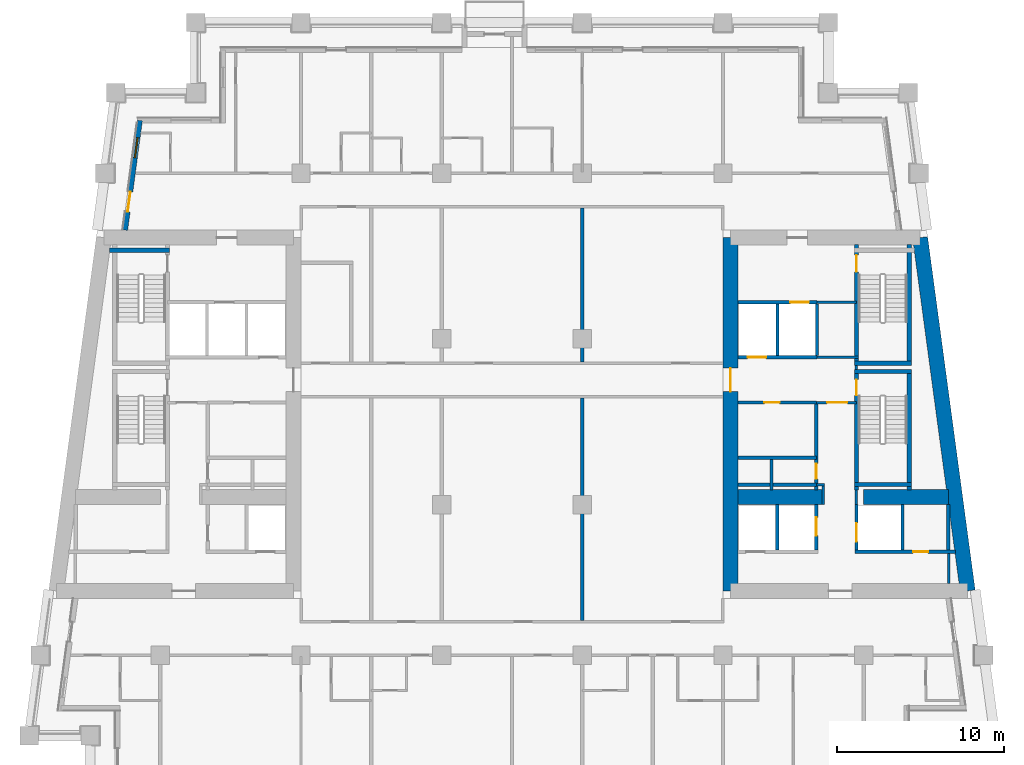
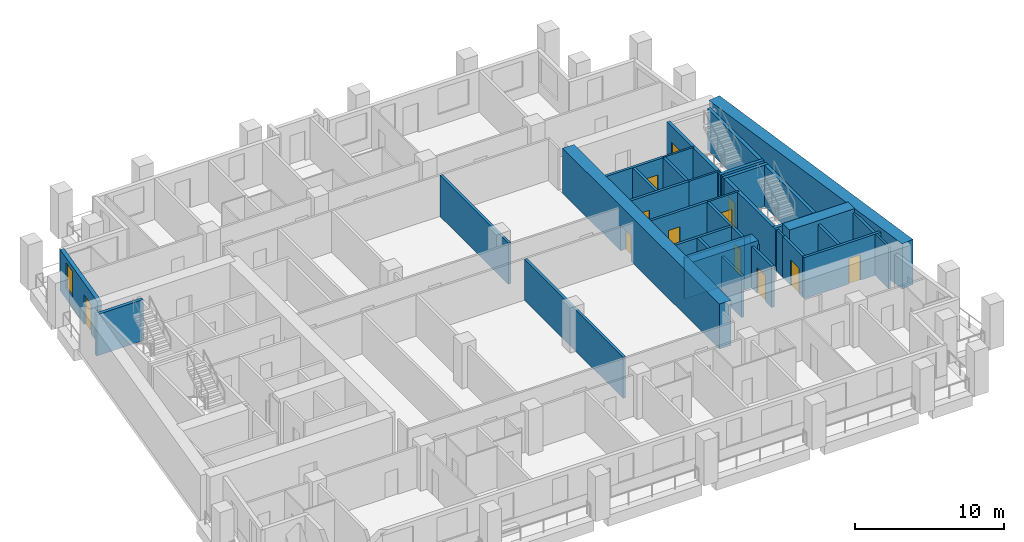
# One storey, part 5 of 12: 38 walls, 12 doors, 1 window, 13 openings.
"""IFC4 building model written with IfcOpenShell, lengths in metres."""

from ifc_helpers import new_model, si_unit, direction, frame, frame_2d, origin, place, context, subcontext, project, spatial, rectangle, extrude, material, layer, layer_set, type_object, element, fill, save


model = new_model("IFC4")

# Units and contexts
model_context = context("Model", 3, precision=1e-05, world=origin(), true_north=direction((0.0, 1.0)))
body_context = subcontext(model_context, "Body", "Model", "MODEL_VIEW")
ifc_project = project(units=[si_unit("LENGTHUNIT", "METRE"), si_unit("AREAUNIT", "SQUARE_METRE"), si_unit("VOLUMEUNIT", "CUBIC_METRE"), si_unit("PLANEANGLEUNIT", "RADIAN"), si_unit("MASSUNIT", "GRAM", prefix="KILO")], contexts=[model_context])

# Site, building, storey
site_placement = place(None, origin())
site = spatial("IfcSite", under=ifc_project, at=site_placement, CompositionType="ELEMENT")
building_placement = place(site_placement, origin())
building = spatial("IfcBuilding", under=site, at=building_placement, Name="Candeia Pilgrim Tower and Theatre", CompositionType="ELEMENT")
storey_placement = place(building_placement, frame((0.0, 0.0, 184.800048828125)))
storey = spatial("IfcBuildingStorey", under=building, at=storey_placement, Name="L44", CompositionType="ELEMENT", Elevation=184.800048828125)

# Wall
ifc_material_1 = material(Name="Concrete C60/75", Category="concrete")
ifc_layer_1 = layer(ifc_material_1, 0.89990234375)
ifc_layer_set_1 = layer_set([ifc_layer_1], Name="Core wall 900 C60/75")
wall_type_1 = type_object("IfcWallType", Name="Core wall 900 C60/75", PredefinedType="SHEAR", material=ifc_layer_set_1)
wall_1_placement = place(storey_placement, frame((137.775634765625, 131.949951171875, 0.0), z_axis=(0.0, 0.0, 1.0), x_axis=(0.133421759112, -0.991059349482, 0.0)))
element("IfcWall", 1, at=wall_1_placement, inside=storey, type_object=wall_type_1, Name="Core wall E2", PredefinedType="SHEAR", context=body_context, shape_type="SweptSolid", body=[
    extrude(rectangle(XDim=21.290283203125, YDim=0.89990234375, at=frame_2d((10.64501953125, 0.0))), origin(), (0.0, 0.0, 1.0), 3.699951171875),
])

# Wall, opening, door
wall_2_placement = place(storey_placement, frame((126.449951171875, 110.85009765625, 0.0), z_axis=(0.0, 0.0, 1.0), x_axis=(0.0, 1.0, 0.0)))
wall_2 = element("IfcWall", 2, at=wall_2_placement, inside=storey, type_object=wall_type_1, Name="Core wall E4", PredefinedType="SHEAR", context=body_context, shape_type="SweptSolid", body=[
    extrude(rectangle(XDim=21.099853515625, YDim=0.89990234375, at=frame_2d((10.5498046875, 0.0))), origin(), (0.0, 0.0, 1.0), 3.699951171875),
])
opening_1_placement = place(wall_2_placement, frame((11.89990234375, 0.0, 0.0)))
opening_1 = element("IfcOpeningElement", 3, at=opening_1_placement, cuts=wall_2, Name="Opening L44-D058", PredefinedType="OPENING", context=body_context, shape_type="SweptSolid", body=[
    extrude(rectangle(XDim=1.39990234375, YDim=2.10009765625, at=frame_2d((0.699951171875, 1.050048828125))), frame((0.0, 0.4599609375, 0.0), z_axis=(0.0, -1.0, 0.0), x_axis=(1.0, 0.0, 0.0)), (0.0, 0.0, 1.0), 0.919921875),
])
ifc_material_2 = material(Name="Steel fire door set", Category="steel")
door_type_1 = type_object("IfcDoorType", Name="D-1400-FD60", OperationType="NOTDEFINED", PredefinedType="DOOR", material=ifc_material_2)
door_1_placement = place(opening_1_placement, origin())
door_1 = element("IfcDoor", 4, at=door_1_placement, inside=storey, type_object=door_type_1, Name="Door L44-D058", OperationType="SINGLE_SWING_RIGHT", OverallHeight=2.10009765625, OverallWidth=1.39990234375, PredefinedType="DOOR", context=body_context, shape_type="SweptSolid", body=[
    extrude(rectangle(XDim=1.39990234375, YDim=2.10009765625, at=frame_2d((0.699951171875, 1.050048828125))), frame((0.0, 0.02490234375, 0.0), z_axis=(0.0, -1.0, 0.0), x_axis=(1.0, 0.0, 0.0)), (0.0, 0.0, 1.0), 0.050048828125),
])
fill(opening_1, door_1)

# Walls
wall_3_placement = place(storey_placement, frame((126.89990234375, 116.449951171875, 0.0), z_axis=(0.0, 0.0, 1.0), x_axis=(1.0, 0.0, 0.0)))
element("IfcWall", 5, at=wall_3_placement, inside=storey, type_object=wall_type_1, Name="Core wall E5", PredefinedType="SHEAR", context=body_context, shape_type="SweptSolid", body=[
    extrude(rectangle(XDim=5.10009765625, YDim=0.89990234375, at=frame_2d((2.550048828125, 0.0))), origin(), (0.0, 0.0, 1.0), 3.699951171875),
])
wall_4_placement = place(storey_placement, frame((134.39990234375, 116.449951171875, 0.0), z_axis=(0.0, 0.0, 1.0), x_axis=(1.0, 0.0, 0.0)))
element("IfcWall", 6, at=wall_4_placement, inside=storey, type_object=wall_type_1, Name="Core wall E6", PredefinedType="SHEAR", context=body_context, shape_type="SweptSolid", body=[
    extrude(rectangle(XDim=5.076904296875, YDim=0.89990234375, at=frame_2d((2.53857421875, 0.0))), origin(), (0.0, 0.0, 1.0), 3.699951171875),
])

# Wall, openings, door, window
ifc_material_3 = material(Name="Ceramic block masonry", Category="masonry")
ifc_layer_2 = layer(ifc_material_3, 0.300048828125)
ifc_layer_set_2 = layer_set([ifc_layer_2], Name="EW1 glazing-line wall 300")
wall_type_2 = type_object("IfcWallType", Name="EW1 glazing-line wall 300", PredefinedType="SOLIDWALL", material=ifc_layer_set_2)
wall_5_placement = place(storey_placement, frame((91.177490234375, 138.949951171875, 0.0), z_axis=(0.0, 0.0, 1.0), x_axis=(-0.133426664613, -0.991058689065, 0.0)))
wall_5 = element("IfcWall", 7, at=wall_5_placement, inside=storey, type_object=wall_type_2, Name="External wall L44-9.0", PredefinedType="SOLIDWALL", context=body_context, shape_type="SweptSolid", body=[
    extrude(rectangle(XDim=6.609130859375, YDim=0.300048828125, at=frame_2d((3.3046875, 0.0))), origin(), (0.0, 0.0, 1.0), 3.3798828125),
])
opening_2_placement = place(wall_5_placement, frame((1.039306640625, 0.0, 0.89990234375)))
opening_2 = element("IfcOpeningElement", 8, at=opening_2_placement, cuts=wall_5, Name="Opening W-B", PredefinedType="OPENING", context=body_context, shape_type="SweptSolid", body=[
    extrude(rectangle(XDim=1.199951171875, YDim=2.10009765625, at=frame_2d((0.60009765625, 1.050048828125))), frame((0.0, 0.16015625, 0.0), z_axis=(0.0, -1.0, 0.0), x_axis=(1.0, 0.0, 0.0)), (0.0, 0.0, 1.0), 0.320068359375),
])
opening_3_placement = place(wall_5_placement, frame((4.293701171875, 0.0, 0.0)))
opening_3 = element("IfcOpeningElement", 9, at=opening_3_placement, cuts=wall_5, Name="Opening L44-ED427", PredefinedType="OPENING", context=body_context, shape_type="SweptSolid", body=[
    extrude(rectangle(XDim=1.199951171875, YDim=2.39990234375, at=frame_2d((0.60009765625, 1.199951171875))), frame((0.0, 0.16015625, 0.0), z_axis=(0.0, -1.0, 0.0), x_axis=(1.0, 0.0, 0.0)), (0.0, 0.0, 1.0), 0.320068359375),
])
ifc_material_4 = material(Name="Aluminium framed glazed door", Category="aluminium")
door_type_2 = type_object("IfcDoorType", Name="Loggia door 1200x2400", OperationType="DOUBLE_DOOR_SINGLE_SWING", PredefinedType="DOOR", material=ifc_material_4)
door_2_placement = place(opening_3_placement, origin())
door_2 = element("IfcDoor", 10, at=door_2_placement, inside=storey, type_object=door_type_2, Name="Loggia door L44-ED427", OperationType="DOUBLE_DOOR_SINGLE_SWING", OverallHeight=2.39990234375, OverallWidth=1.199951171875, PredefinedType="DOOR", context=body_context, shape_type="SweptSolid", body=[
    extrude(rectangle(XDim=1.199951171875, YDim=2.39990234375, at=frame_2d((0.60009765625, 1.199951171875))), frame((0.0, 0.02490234375, 0.0), z_axis=(0.0, -1.0, 0.0), x_axis=(1.0, 0.0, 0.0)), (0.0, 0.0, 1.0), 0.050048828125),
])
fill(opening_3, door_2)
ifc_material_5 = material(Name="Aluminium framed double glazing", Category="aluminium")
window_type = type_object("IfcWindowType", Name="W-B window 1200x2100", PartitioningType="SINGLE_PANEL", PredefinedType="WINDOW", material=ifc_material_5)
window_placement = place(opening_2_placement, origin())
window = element("IfcWindow", 11, at=window_placement, inside=storey, type_object=window_type, Name="Window W-B L44", OverallHeight=2.10009765625, OverallWidth=1.199951171875, PartitioningType="SINGLE_PANEL", PredefinedType="WINDOW", context=body_context, shape_type="SweptSolid", body=[
    extrude(rectangle(XDim=1.199951171875, YDim=2.10009765625, at=frame_2d((0.60009765625, 1.050048828125))), frame((0.0, 0.030029296875, 0.0), z_axis=(0.0, -1.0, 0.0), x_axis=(1.0, 0.0, 0.0)), (0.0, 0.0, 1.0), 0.06005859375),
])
fill(opening_2, window)

# Wall
ifc_material_6 = material(Name="Gypsum board partition on steel studs", Category="steel")
ifc_layer_3 = layer(ifc_material_6, 0.14990234375)
ifc_layer_set_3 = layer_set([ifc_layer_3], Name="PW-150 lobby wall")
wall_type_3 = type_object("IfcWallType", Name="PW-150 lobby wall", PredefinedType="PARTITIONING", material=ifc_layer_set_3)
wall_6_placement = place(storey_placement, frame((131.572998046875, 117.199951171875, 0.0), z_axis=(0.0, 0.0, 1.0), x_axis=(1.0, 0.0, 0.0)))
element("IfcWall", 12, at=wall_6_placement, inside=storey, type_object=wall_type_3, Name="Lobby wall L44-016", PredefinedType="PARTITIONING", context=body_context, shape_type="SweptSolid", body=[
    extrude(rectangle(XDim=0.501953125, YDim=0.14990234375, at=frame_2d((0.2509765625, 0.0))), origin(), (0.0, 0.0, 1.0), 3.3798828125),
])

# Wall, opening, door
wall_7_placement = place(storey_placement, frame((131.572998046875, 122.10009765625, 0.0), z_axis=(0.0, 0.0, 1.0), x_axis=(1.0, 0.0, 0.0)))
wall_7 = element("IfcWall", 13, at=wall_7_placement, inside=storey, type_object=wall_type_3, Name="Lobby wall L44-024", PredefinedType="PARTITIONING", context=body_context, shape_type="SweptSolid", body=[
    extrude(rectangle(XDim=2.39990234375, YDim=0.14990234375, at=frame_2d((1.199951171875, 0.0))), origin(), (0.0, 0.0, 1.0), 3.3798828125),
])
opening_4_placement = place(wall_7_placement, frame((0.64990234375, 0.0, 0.0)))
opening_4 = element("IfcOpeningElement", 14, at=opening_4_placement, cuts=wall_7, Name="Opening L44-D008", PredefinedType="OPENING", context=body_context, shape_type="SweptSolid", body=[
    extrude(rectangle(XDim=1.199951171875, YDim=2.10009765625, at=frame_2d((0.60009765625, 1.050048828125))), frame((0.0, 0.0849609375, 0.0), z_axis=(0.0, -1.0, 0.0), x_axis=(1.0, 0.0, 0.0)), (0.0, 0.0, 1.0), 0.169921875),
])
door_type_3 = type_object("IfcDoorType", Name="D-1200-FD60", OperationType="NOTDEFINED", PredefinedType="DOOR", material=ifc_material_2)
door_3_placement = place(opening_4_placement, origin())
door_3 = element("IfcDoor", 15, at=door_3_placement, inside=storey, type_object=door_type_3, Name="Door L44-D008", OperationType="SINGLE_SWING_LEFT", OverallHeight=2.10009765625, OverallWidth=1.199951171875, PredefinedType="DOOR", context=body_context, shape_type="SweptSolid", body=[
    extrude(rectangle(XDim=1.199951171875, YDim=2.10009765625, at=frame_2d((0.60009765625, 1.050048828125))), frame((0.0, 0.02490234375, 0.0), z_axis=(0.0, -1.0, 0.0), x_axis=(1.0, 0.0, 0.0)), (0.0, 0.0, 1.0), 0.050048828125),
])
fill(opening_4, door_3)

# Walls
wall_8_placement = place(storey_placement, frame((131.615234375, 124.800048828125, 0.0), z_axis=(0.0, 0.0, 1.0), x_axis=(1.0, 0.0, 0.0)))
element("IfcWall", 16, at=wall_8_placement, inside=storey, type_object=wall_type_3, Name="Lobby wall L44-033", PredefinedType="PARTITIONING", context=body_context, shape_type="SweptSolid", body=[
    extrude(rectangle(XDim=2.482666015625, YDim=0.14990234375, at=frame_2d((1.2412109375, 0.0))), origin(), (0.0, 0.0, 1.0), 3.3798828125),
])
wall_9_placement = place(storey_placement, frame((131.615234375, 128.10009765625, 0.0), z_axis=(0.0, 0.0, 1.0), x_axis=(1.0, 0.0, 0.0)))
element("IfcWall", 17, at=wall_9_placement, inside=storey, type_object=wall_type_3, Name="Lobby wall L44-036", PredefinedType="PARTITIONING", context=body_context, shape_type="SweptSolid", body=[
    extrude(rectangle(XDim=2.357666015625, YDim=0.14990234375, at=frame_2d((1.1787109375, 0.0))), origin(), (0.0, 0.0, 1.0), 3.3798828125),
])
wall_10_placement = place(storey_placement, frame((132.0, 116.0, 0.0), z_axis=(0.0, 0.0, 1.0), x_axis=(0.0, 1.0, 0.0)))
element("IfcWall", 18, at=wall_10_placement, inside=storey, type_object=wall_type_3, Name="Lobby wall L44-106", PredefinedType="PARTITIONING", context=body_context, shape_type="SweptSolid", body=[
    extrude(rectangle(XDim=1.125, YDim=0.14990234375, at=frame_2d((0.5625, 0.0))), origin(), (0.0, 0.0, 1.0), 3.3798828125),
])
wall_11_placement = place(storey_placement, frame((133.972900390625, 116.0, 0.0), z_axis=(0.0, 0.0, 1.0), x_axis=(0.0, 1.0, 0.0)))
element("IfcWall", 19, at=wall_11_placement, inside=storey, type_object=wall_type_3, Name="Lobby wall L44-108", PredefinedType="PARTITIONING", context=body_context, shape_type="SweptSolid", body=[
    extrude(rectangle(XDim=0.8701171875, YDim=0.14990234375, at=frame_2d((0.43505859375, 0.0))), origin(), (0.0, 0.0, 1.0), 3.3798828125),
])
wall_12_placement = place(storey_placement, frame((133.972900390625, 124.074951171875, 0.0), z_axis=(0.0, 0.0, 1.0), x_axis=(0.0, 1.0, 0.0)))
element("IfcWall", 20, at=wall_12_placement, inside=storey, type_object=wall_type_3, Name="Lobby wall L44-109", PredefinedType="PARTITIONING", context=body_context, shape_type="SweptSolid", body=[
    extrude(rectangle(XDim=0.25, YDim=0.14990234375, at=frame_2d((0.125, 0.0))), origin(), (0.0, 0.0, 1.0), 3.3798828125),
])
wall_13_placement = place(storey_placement, frame((139.471923828125, 111.300048828125, 0.0), z_axis=(0.0, 0.0, 1.0), x_axis=(0.0, 1.0, 0.0)))
element("IfcWall", 21, at=wall_13_placement, inside=storey, type_object=wall_type_3, Name="Lobby wall L44-118", PredefinedType="PARTITIONING", context=body_context, shape_type="SweptSolid", body=[
    extrude(rectangle(XDim=1.800048828125, YDim=0.14990234375, at=frame_2d((0.89990234375, 0.0))), origin(), (0.0, 0.0, 1.0), 3.3798828125),
])
ifc_layer_4 = layer(ifc_material_6, 0.199951171875)
ifc_layer_set_4 = layer_set([ifc_layer_4], Name="PW-200 party wall")
wall_type_4 = type_object("IfcWallType", Name="PW-200 party wall", PredefinedType="PARTITIONING", material=ifc_layer_set_4)
wall_14_placement = place(storey_placement, frame((117.60009765625, 109.074951171875, 0.0), z_axis=(0.0, 0.0, 1.0), x_axis=(0.0, 1.0, 0.0)))
element("IfcWall", 22, at=wall_14_placement, inside=storey, type_object=wall_type_4, Name="Party wall L44-089", PredefinedType="PARTITIONING", context=body_context, shape_type="SweptSolid", body=[
    extrude(rectangle(XDim=13.300048828125, YDim=0.199951171875, at=frame_2d((6.64990234375, 0.0))), origin(), (0.0, 0.0, 1.0), 3.3798828125),
])
wall_15_placement = place(storey_placement, frame((117.60009765625, 124.52490234375, 0.0), z_axis=(0.0, 0.0, 1.0), x_axis=(0.0, 1.0, 0.0)))
element("IfcWall", 23, at=wall_15_placement, inside=storey, type_object=wall_type_4, Name="Party wall L44-090", PredefinedType="PARTITIONING", context=body_context, shape_type="SweptSolid", body=[
    extrude(rectangle(XDim=9.2001953125, YDim=0.199951171875, at=frame_2d((4.60009765625, 0.0))), origin(), (0.0, 0.0, 1.0), 3.3798828125),
])

# Wall, opening, door
ifc_material_7 = material(Name="Concrete C40/50", Category="concrete")
ifc_layer_5 = layer(ifc_material_7, 0.199951171875)
ifc_layer_set_5 = layer_set([ifc_layer_5], Name="SW-200 shaft wall")
wall_type_5 = type_object("IfcWallType", Name="SW-200 shaft wall", PredefinedType="PARTITIONING", material=ifc_layer_set_5)
wall_16_placement = place(storey_placement, frame((133.873046875, 113.199951171875, 0.0), z_axis=(0.0, 0.0, 1.0), x_axis=(1.0, 0.0, 0.0)))
wall_16 = element("IfcWall", 24, at=wall_16_placement, inside=storey, type_object=wall_type_5, Name="Shaft wall L44-012", PredefinedType="PARTITIONING", context=body_context, shape_type="SweptSolid", body=[
    extrude(rectangle(XDim=6.002685546875, YDim=0.199951171875, at=frame_2d((3.00146484375, 0.0))), origin(), (0.0, 0.0, 1.0), 3.3798828125),
])
opening_5_placement = place(wall_16_placement, frame((3.487060546875, 0.0, 0.0)))
opening_5 = element("IfcOpeningElement", 25, at=opening_5_placement, cuts=wall_16, Name="Opening L44-D013", PredefinedType="OPENING", context=body_context, shape_type="SweptSolid", body=[
    extrude(rectangle(XDim=0.89990234375, YDim=2.10009765625, at=frame_2d((0.449951171875, 1.050048828125))), frame((0.0, 0.10986328125, 0.0), z_axis=(0.0, -1.0, 0.0), x_axis=(1.0, 0.0, 0.0)), (0.0, 0.0, 1.0), 0.219970703125),
])
door_type_4 = type_object("IfcDoorType", Name="D-900-FD60", OperationType="NOTDEFINED", PredefinedType="DOOR", material=ifc_material_2)
door_4_placement = place(opening_5_placement, origin())
door_4 = element("IfcDoor", 26, at=door_4_placement, inside=storey, type_object=door_type_4, Name="Door L44-D013", OperationType="SINGLE_SWING_LEFT", OverallHeight=2.10009765625, OverallWidth=0.89990234375, PredefinedType="DOOR", context=body_context, shape_type="SweptSolid", body=[
    extrude(rectangle(XDim=0.89990234375, YDim=2.10009765625, at=frame_2d((0.449951171875, 1.050048828125))), frame((0.0, 0.02490234375, 0.0), z_axis=(0.0, -1.0, 0.0), x_axis=(1.0, 0.0, 0.0)), (0.0, 0.0, 1.0), 0.050048828125),
])
fill(opening_5, door_4)

# Walls
for number, where, z_axis, x_axis, name in (
    (27, (126.89990234375, 117.199951171875, 0.0), (0.0, 0.0, 1.0), (1.0, 0.0, 0.0), "Shaft wall L44-014"),
    (28, (126.89990234375, 118.800048828125, 0.0), (0.0, 0.0, 1.0), (1.0, 0.0, 0.0), "Shaft wall L44-020"),
):
    element("IfcWall", number, at=place(storey_placement, frame(where, z_axis=z_axis, x_axis=x_axis)), inside=storey, type_object=wall_type_5, Name=name, PredefinedType="PARTITIONING", context=body_context, shape_type="SweptSolid", body=[
        extrude(rectangle(XDim=4.673095703125, YDim=0.199951171875, at=frame_2d((2.33642578125, 0.0))), origin(), (0.0, 0.0, 1.0), 3.3798828125),
    ])

# Wall, opening, door
wall_17_placement = place(storey_placement, frame((126.89990234375, 122.10009765625, 0.0), z_axis=(0.0, 0.0, 1.0), x_axis=(1.0, 0.0, 0.0)))
wall_17 = element("IfcWall", 29, at=wall_17_placement, inside=storey, type_object=wall_type_5, Name="Shaft wall L44-022", PredefinedType="PARTITIONING", context=body_context, shape_type="SweptSolid", body=[
    extrude(rectangle(XDim=4.673095703125, YDim=0.199951171875, at=frame_2d((2.33642578125, 0.0))), origin(), (0.0, 0.0, 1.0), 3.3798828125),
])
opening_6_placement = place(wall_17_placement, frame((1.5791015625, 0.0, 0.0)))
opening_6 = element("IfcOpeningElement", 30, at=opening_6_placement, cuts=wall_17, Name="Opening L44-D009", PredefinedType="OPENING", context=body_context, shape_type="SweptSolid", body=[
    extrude(rectangle(XDim=0.89990234375, YDim=2.10009765625, at=frame_2d((0.449951171875, 1.050048828125))), frame((0.0, 0.10986328125, 0.0), z_axis=(0.0, -1.0, 0.0), x_axis=(1.0, 0.0, 0.0)), (0.0, 0.0, 1.0), 0.219970703125),
])
door_5_placement = place(opening_6_placement, origin())
door_5 = element("IfcDoor", 31, at=door_5_placement, inside=storey, type_object=door_type_4, Name="Door L44-D009", OperationType="SINGLE_SWING_RIGHT", OverallHeight=2.10009765625, OverallWidth=0.89990234375, PredefinedType="DOOR", context=body_context, shape_type="SweptSolid", body=[
    extrude(rectangle(XDim=0.89990234375, YDim=2.10009765625, at=frame_2d((0.449951171875, 1.050048828125))), frame((0.0, 0.02490234375, 0.0), z_axis=(0.0, -1.0, 0.0), x_axis=(1.0, 0.0, 0.0)), (0.0, 0.0, 1.0), 0.050048828125),
])
fill(opening_6, door_5)

wall_18_placement = place(storey_placement, frame((126.89990234375, 124.800048828125, 0.0), z_axis=(0.0, 0.0, 1.0), x_axis=(1.0, 0.0, 0.0)))
wall_18 = element("IfcWall", 32, at=wall_18_placement, inside=storey, type_object=wall_type_5, Name="Shaft wall L44-032", PredefinedType="PARTITIONING", context=body_context, shape_type="SweptSolid", body=[
    extrude(rectangle(XDim=4.71533203125, YDim=0.199951171875, at=frame_2d((2.357666015625, 0.0))), origin(), (0.0, 0.0, 1.0), 3.3798828125),
])
opening_7_placement = place(wall_18_placement, frame((0.572998046875, 0.0, 0.0)))
opening_7 = element("IfcOpeningElement", 33, at=opening_7_placement, cuts=wall_18, Name="Opening L44-LD05", PredefinedType="OPENING", context=body_context, shape_type="SweptSolid", body=[
    extrude(rectangle(XDim=1.10009765625, YDim=2.10009765625, at=frame_2d((0.550048828125, 1.050048828125))), frame((0.0, 0.10986328125, 0.0), z_axis=(0.0, -1.0, 0.0), x_axis=(1.0, 0.0, 0.0)), (0.0, 0.0, 1.0), 0.219970703125),
])
ifc_material_8 = material(Name="Glazed aluminium landing door", Category="aluminium")
door_type_5 = type_object("IfcDoorType", Name="LD-1100-EI120", OperationType="SLIDING_TO_LEFT", PredefinedType="DOOR", material=ifc_material_8)
door_6_placement = place(opening_7_placement, origin())
door_6 = element("IfcDoor", 34, at=door_6_placement, inside=storey, type_object=door_type_5, Name="Landing door 05 L44", OperationType="SLIDING_TO_LEFT", OverallHeight=2.10009765625, OverallWidth=1.10009765625, PredefinedType="DOOR", context=body_context, shape_type="SweptSolid", body=[
    extrude(rectangle(XDim=1.10009765625, YDim=2.10009765625, at=frame_2d((0.550048828125, 1.050048828125))), frame((0.0, 0.02490234375, 0.0), z_axis=(0.0, -1.0, 0.0), x_axis=(1.0, 0.0, 0.0)), (0.0, 0.0, 1.0), 0.050048828125),
])
fill(opening_7, door_6)

wall_19_placement = place(storey_placement, frame((126.89990234375, 128.10009765625, 0.0), z_axis=(0.0, 0.0, 1.0), x_axis=(1.0, 0.0, 0.0)))
wall_19 = element("IfcWall", 35, at=wall_19_placement, inside=storey, type_object=wall_type_5, Name="Shaft wall L44-035", PredefinedType="PARTITIONING", context=body_context, shape_type="SweptSolid", body=[
    extrude(rectangle(XDim=4.71533203125, YDim=0.199951171875, at=frame_2d((2.357666015625, 0.0))), origin(), (0.0, 0.0, 1.0), 3.3798828125),
])
opening_8_placement = place(wall_19_placement, frame((3.1259765625, 0.0, 0.0)))
opening_8 = element("IfcOpeningElement", 36, at=opening_8_placement, cuts=wall_19, Name="Opening L44-LD04", PredefinedType="OPENING", context=body_context, shape_type="SweptSolid", body=[
    extrude(rectangle(XDim=1.10009765625, YDim=2.10009765625, at=frame_2d((0.550048828125, 1.050048828125))), frame((0.0, 0.10986328125, 0.0), z_axis=(0.0, -1.0, 0.0), x_axis=(1.0, 0.0, 0.0)), (0.0, 0.0, 1.0), 0.219970703125),
])
door_7_placement = place(opening_8_placement, origin())
door_7 = element("IfcDoor", 37, at=door_7_placement, inside=storey, type_object=door_type_5, Name="Landing door 04 L44", OperationType="SLIDING_TO_LEFT", OverallHeight=2.10009765625, OverallWidth=1.10009765625, PredefinedType="DOOR", context=body_context, shape_type="SweptSolid", body=[
    extrude(rectangle(XDim=1.10009765625, YDim=2.10009765625, at=frame_2d((0.550048828125, 1.050048828125))), frame((0.0, 0.02490234375, 0.0), z_axis=(0.0, -1.0, 0.0), x_axis=(1.0, 0.0, 0.0)), (0.0, 0.0, 1.0), 0.050048828125),
])
fill(opening_8, door_7)

# Walls
wall_20_placement = place(storey_placement, frame((128.89990234375, 116.8701171875, 0.0), z_axis=(0.0, 0.0, 1.0), x_axis=(0.0, 1.0, 0.0)))
element("IfcWall", 38, at=wall_20_placement, inside=storey, type_object=wall_type_5, Name="Shaft wall L44-099", PredefinedType="PARTITIONING", context=body_context, shape_type="SweptSolid", body=[
    extrude(rectangle(XDim=1.829833984375, YDim=0.199951171875, at=frame_2d((0.9150390625, 0.0))), origin(), (0.0, 0.0, 1.0), 3.3798828125),
])
wall_21_placement = place(storey_placement, frame((129.236572265625, 113.300048828125, 0.0), z_axis=(0.0, 0.0, 1.0), x_axis=(0.0, 1.0, 0.0)))
element("IfcWall", 39, at=wall_21_placement, inside=storey, type_object=wall_type_5, Name="Shaft wall L44-100", PredefinedType="PARTITIONING", context=body_context, shape_type="SweptSolid", body=[
    extrude(rectangle(XDim=2.699951171875, YDim=0.199951171875, at=frame_2d((1.35009765625, 0.0))), origin(), (0.0, 0.0, 1.0), 3.3798828125),
])
wall_22_placement = place(storey_placement, frame((129.2578125, 124.89990234375, 0.0), z_axis=(0.0, 0.0, 1.0), x_axis=(0.0, 1.0, 0.0)))
element("IfcWall", 40, at=wall_22_placement, inside=storey, type_object=wall_type_5, Name="Shaft wall L44-101", PredefinedType="PARTITIONING", context=body_context, shape_type="SweptSolid", body=[
    extrude(rectangle(XDim=3.10009765625, YDim=0.199951171875, at=frame_2d((1.550048828125, 0.0))), origin(), (0.0, 0.0, 1.0), 3.3798828125),
])

# Wall, opening, door
wall_23_placement = place(storey_placement, frame((131.572998046875, 113.300048828125, 0.0), z_axis=(0.0, 0.0, 1.0), x_axis=(0.0, 1.0, 0.0)))
wall_23 = element("IfcWall", 41, at=wall_23_placement, inside=storey, type_object=wall_type_5, Name="Shaft wall L44-103", PredefinedType="PARTITIONING", context=body_context, shape_type="SweptSolid", body=[
    extrude(rectangle(XDim=2.699951171875, YDim=0.199951171875, at=frame_2d((1.35009765625, 0.0))), origin(), (0.0, 0.0, 1.0), 3.3798828125),
])
opening_9_placement = place(wall_23_placement, frame((0.85009765625, 0.0, 0.0)))
opening_9 = element("IfcOpeningElement", 42, at=opening_9_placement, cuts=wall_23, Name="Opening L44-LD07", PredefinedType="OPENING", context=body_context, shape_type="SweptSolid", body=[
    extrude(rectangle(XDim=1.10009765625, YDim=2.10009765625, at=frame_2d((0.550048828125, 1.050048828125))), frame((0.0, 0.10986328125, 0.0), z_axis=(0.0, -1.0, 0.0), x_axis=(1.0, 0.0, 0.0)), (0.0, 0.0, 1.0), 0.219970703125),
])
door_8_placement = place(opening_9_placement, origin())
door_8 = element("IfcDoor", 43, at=door_8_placement, inside=storey, type_object=door_type_5, Name="Landing door 07 L44", OperationType="SLIDING_TO_LEFT", OverallHeight=2.10009765625, OverallWidth=1.10009765625, PredefinedType="DOOR", context=body_context, shape_type="SweptSolid", body=[
    extrude(rectangle(XDim=1.10009765625, YDim=2.10009765625, at=frame_2d((0.550048828125, 1.050048828125))), frame((0.0, 0.02490234375, 0.0), z_axis=(0.0, -1.0, 0.0), x_axis=(1.0, 0.0, 0.0)), (0.0, 0.0, 1.0), 0.050048828125),
])
fill(opening_9, door_8)

wall_24_placement = place(storey_placement, frame((131.572998046875, 116.8701171875, 0.0), z_axis=(0.0, 0.0, 1.0), x_axis=(0.0, 1.0, 0.0)))
wall_24 = element("IfcWall", 44, at=wall_24_placement, inside=storey, type_object=wall_type_5, Name="Shaft wall L44-104", PredefinedType="PARTITIONING", context=body_context, shape_type="SweptSolid", body=[
    extrude(rectangle(XDim=5.1298828125, YDim=0.199951171875, at=frame_2d((2.56494140625, 0.0))), origin(), (0.0, 0.0, 1.0), 3.3798828125),
])
opening_10_placement = place(wall_24_placement, frame((0.679931640625, 0.0, 0.0)))
opening_10 = element("IfcOpeningElement", 45, at=opening_10_placement, cuts=wall_24, Name="Opening L44-D012", PredefinedType="OPENING", context=body_context, shape_type="SweptSolid", body=[
    extrude(rectangle(XDim=0.89990234375, YDim=2.10009765625, at=frame_2d((0.449951171875, 1.050048828125))), frame((0.0, 0.10986328125, 0.0), z_axis=(0.0, -1.0, 0.0), x_axis=(1.0, 0.0, 0.0)), (0.0, 0.0, 1.0), 0.219970703125),
])
door_9_placement = place(opening_10_placement, origin())
door_9 = element("IfcDoor", 46, at=door_9_placement, inside=storey, type_object=door_type_4, Name="Door L44-D012", OperationType="SINGLE_SWING_LEFT", OverallHeight=2.10009765625, OverallWidth=0.89990234375, PredefinedType="DOOR", context=body_context, shape_type="SweptSolid", body=[
    extrude(rectangle(XDim=0.89990234375, YDim=2.10009765625, at=frame_2d((0.449951171875, 1.050048828125))), frame((0.0, 0.02490234375, 0.0), z_axis=(0.0, -1.0, 0.0), x_axis=(1.0, 0.0, 0.0)), (0.0, 0.0, 1.0), 0.050048828125),
])
fill(opening_10, door_9)

# Wall
wall_25_placement = place(storey_placement, frame((131.615234375, 124.89990234375, 0.0), z_axis=(0.0, 0.0, 1.0), x_axis=(0.0, 1.0, 0.0)))
element("IfcWall", 47, at=wall_25_placement, inside=storey, type_object=wall_type_5, Name="Shaft wall L44-105", PredefinedType="PARTITIONING", context=body_context, shape_type="SweptSolid", body=[
    extrude(rectangle(XDim=3.10009765625, YDim=0.199951171875, at=frame_2d((1.550048828125, 0.0))), origin(), (0.0, 0.0, 1.0), 3.3798828125),
])

# Wall, opening, door
wall_26_placement = place(storey_placement, frame((133.972900390625, 113.300048828125, 0.0), z_axis=(0.0, 0.0, 1.0), x_axis=(0.0, 1.0, 0.0)))
wall_26 = element("IfcWall", 48, at=wall_26_placement, inside=storey, type_object=wall_type_5, Name="Shaft wall L44-107", PredefinedType="PARTITIONING", context=body_context, shape_type="SweptSolid", body=[
    extrude(rectangle(XDim=2.699951171875, YDim=0.199951171875, at=frame_2d((1.35009765625, 0.0))), origin(), (0.0, 0.0, 1.0), 3.3798828125),
])
opening_11_placement = place(wall_26_placement, frame((0.5, 0.0, 0.0)))
opening_11 = element("IfcOpeningElement", 49, at=opening_11_placement, cuts=wall_26, Name="Opening L44-LD06", PredefinedType="OPENING", context=body_context, shape_type="SweptSolid", body=[
    extrude(rectangle(XDim=1.10009765625, YDim=2.10009765625, at=frame_2d((0.550048828125, 1.050048828125))), frame((0.0, 0.10986328125, 0.0), z_axis=(0.0, -1.0, 0.0), x_axis=(1.0, 0.0, 0.0)), (0.0, 0.0, 1.0), 0.219970703125),
])
door_10_placement = place(opening_11_placement, origin())
door_10 = element("IfcDoor", 50, at=door_10_placement, inside=storey, type_object=door_type_5, Name="Landing door 06 L44", OperationType="SLIDING_TO_LEFT", OverallHeight=2.10009765625, OverallWidth=1.10009765625, PredefinedType="DOOR", context=body_context, shape_type="SweptSolid", body=[
    extrude(rectangle(XDim=1.10009765625, YDim=2.10009765625, at=frame_2d((0.550048828125, 1.050048828125))), frame((0.0, 0.02490234375, 0.0), z_axis=(0.0, -1.0, 0.0), x_axis=(1.0, 0.0, 0.0)), (0.0, 0.0, 1.0), 0.050048828125),
])
fill(opening_11, door_10)

# Walls
for number, where, z_axis, x_axis, name in (
    (51, (136.722412109375, 113.300048828125, 0.0), (0.0, 0.0, 1.0), (0.0, 1.0, 0.0), "Shaft wall L44-113"),
    (52, (139.44970703125, 113.300048828125, 0.0), (0.0, 0.0, 1.0), (0.0, 1.0, 0.0), "Shaft wall L44-117"),
):
    element("IfcWall", number, at=place(storey_placement, frame(where, z_axis=z_axis, x_axis=x_axis)), inside=storey, type_object=wall_type_5, Name=name, PredefinedType="PARTITIONING", context=body_context, shape_type="SweptSolid", body=[
        extrude(rectangle(XDim=2.699951171875, YDim=0.199951171875, at=frame_2d((1.35009765625, 0.0))), origin(), (0.0, 0.0, 1.0), 3.3798828125),
    ])
ifc_layer_6 = layer(ifc_material_7, 0.25)
ifc_layer_set_6 = layer_set([ifc_layer_6], Name="SW-250 stair wall")
wall_type_6 = type_object("IfcWallType", Name="SW-250 stair wall", PredefinedType="PARTITIONING", material=ifc_layer_set_6)
for number, where, z_axis, x_axis, name in (
    (53, (133.847900390625, 117.199951171875, 0.0), (0.0, 0.0, 1.0), (1.0, 0.0, 0.0), "Stair wall L44-018"),
    (54, (133.847900390625, 123.949951171875, 0.0), (0.0, 0.0, 1.0), (1.0, 0.0, 0.0), "Stair wall L44-027"),
    (55, (133.847900390625, 124.449951171875, 0.0), (0.0, 0.0, 1.0), (1.0, 0.0, 0.0), "Stair wall L44-029"),
):
    element("IfcWall", number, at=place(storey_placement, frame(where, z_axis=z_axis, x_axis=x_axis)), inside=storey, type_object=wall_type_6, Name=name, PredefinedType="PARTITIONING", context=body_context, shape_type="SweptSolid", body=[
        extrude(rectangle(XDim=3.400146484375, YDim=0.25, at=frame_2d((1.7001953125, 0.0))), origin(), (0.0, 0.0, 1.0), 3.3798828125),
    ])
wall_27_placement = place(storey_placement, frame((89.347412109375, 131.199951171875, 0.0), z_axis=(0.0, 0.0, 1.0), x_axis=(1.0, 0.0, 0.0)))
element("IfcWall", 56, at=wall_27_placement, inside=storey, type_object=wall_type_6, Name="Stair wall L44-038", PredefinedType="PARTITIONING", context=body_context, shape_type="SweptSolid", body=[
    extrude(rectangle(XDim=3.6044921875, YDim=0.25, at=frame_2d((1.80224609375, 0.0))), origin(), (0.0, 0.0, 1.0), 3.3798828125),
])

# Wall, opening, door
wall_28_placement = place(storey_placement, frame((133.972900390625, 116.8701171875, 0.0), z_axis=(0.0, 0.0, 1.0), x_axis=(0.0, 1.0, 0.0)))
wall_28 = element("IfcWall", 57, at=wall_28_placement, inside=storey, type_object=wall_type_6, Name="Stair wall L44-110", PredefinedType="PARTITIONING", context=body_context, shape_type="SweptSolid", body=[
    extrude(rectangle(XDim=6.954833984375, YDim=0.25, at=frame_2d((3.4775390625, 0.0))), origin(), (0.0, 0.0, 1.0), 3.3798828125),
])
opening_12_placement = place(wall_28_placement, frame((5.655029296875, 0.0, 0.0)))
opening_12 = element("IfcOpeningElement", 58, at=opening_12_placement, cuts=wall_28, Name="Opening L44-D010", PredefinedType="OPENING", context=body_context, shape_type="SweptSolid", body=[
    extrude(rectangle(XDim=0.949951171875, YDim=2.10009765625, at=frame_2d((0.47509765625, 1.050048828125))), frame((0.0, 0.135009765625, 0.0), z_axis=(0.0, -1.0, 0.0), x_axis=(1.0, 0.0, 0.0)), (0.0, 0.0, 1.0), 0.27001953125),
])
door_type_6 = type_object("IfcDoorType", Name="D-950-FD60", OperationType="NOTDEFINED", PredefinedType="DOOR", material=ifc_material_2)
door_11_placement = place(opening_12_placement, origin())
door_11 = element("IfcDoor", 59, at=door_11_placement, inside=storey, type_object=door_type_6, Name="Door L44-D010", OperationType="SINGLE_SWING_LEFT", OverallHeight=2.10009765625, OverallWidth=0.949951171875, PredefinedType="DOOR", context=body_context, shape_type="SweptSolid", body=[
    extrude(rectangle(XDim=0.949951171875, YDim=2.10009765625, at=frame_2d((0.47509765625, 1.050048828125))), frame((0.0, 0.02490234375, 0.0), z_axis=(0.0, -1.0, 0.0), x_axis=(1.0, 0.0, 0.0)), (0.0, 0.0, 1.0), 0.050048828125),
])
fill(opening_12, door_11)

wall_29_placement = place(storey_placement, frame((133.972900390625, 124.574951171875, 0.0), z_axis=(0.0, 0.0, 1.0), x_axis=(0.0, 1.0, 0.0)))
wall_29 = element("IfcWall", 60, at=wall_29_placement, inside=storey, type_object=wall_type_6, Name="Stair wall L44-111", PredefinedType="PARTITIONING", context=body_context, shape_type="SweptSolid", body=[
    extrude(rectangle(XDim=6.955078125, YDim=0.25, at=frame_2d((3.4775390625, 0.0))), origin(), (0.0, 0.0, 1.0), 3.3798828125),
])
opening_13_placement = place(wall_29_placement, frame((5.324951171875, 0.0, 0.0)))
opening_13 = element("IfcOpeningElement", 61, at=opening_13_placement, cuts=wall_29, Name="Opening L44-D011", PredefinedType="OPENING", context=body_context, shape_type="SweptSolid", body=[
    extrude(rectangle(XDim=1.0, YDim=2.10009765625, at=frame_2d((0.5, 1.050048828125))), frame((0.0, 0.135009765625, 0.0), z_axis=(0.0, -1.0, 0.0), x_axis=(1.0, 0.0, 0.0)), (0.0, 0.0, 1.0), 0.27001953125),
])
door_type_7 = type_object("IfcDoorType", Name="D-1000-FD60", OperationType="NOTDEFINED", PredefinedType="DOOR", material=ifc_material_2)
door_12_placement = place(opening_13_placement, origin())
door_12 = element("IfcDoor", 62, at=door_12_placement, inside=storey, type_object=door_type_7, Name="Door L44-D011", OperationType="SINGLE_SWING_RIGHT", OverallHeight=2.10009765625, OverallWidth=1.0, PredefinedType="DOOR", context=body_context, shape_type="SweptSolid", body=[
    extrude(rectangle(XDim=1.0, YDim=2.10009765625, at=frame_2d((0.5, 1.050048828125))), frame((0.0, 0.02490234375, 0.0), z_axis=(0.0, -1.0, 0.0), x_axis=(1.0, 0.0, 0.0)), (0.0, 0.0, 1.0), 0.050048828125),
])
fill(opening_13, door_12)

# Walls
wall_30_placement = place(storey_placement, frame((137.123046875, 116.8701171875, 0.0), z_axis=(0.0, 0.0, 1.0), x_axis=(0.0, 1.0, 0.0)))
element("IfcWall", 63, at=wall_30_placement, inside=storey, type_object=wall_type_6, Name="Stair wall L44-114", PredefinedType="PARTITIONING", context=body_context, shape_type="SweptSolid", body=[
    extrude(rectangle(XDim=6.954833984375, YDim=0.25, at=frame_2d((3.4775390625, 0.0))), origin(), (0.0, 0.0, 1.0), 3.3798828125),
])
wall_31_placement = place(storey_placement, frame((137.123046875, 124.574951171875, 0.0), z_axis=(0.0, 0.0, 1.0), x_axis=(0.0, 1.0, 0.0)))
element("IfcWall", 64, at=wall_31_placement, inside=storey, type_object=wall_type_6, Name="Stair wall L44-115", PredefinedType="PARTITIONING", context=body_context, shape_type="SweptSolid", body=[
    extrude(rectangle(XDim=6.955078125, YDim=0.25, at=frame_2d((3.4775390625, 0.0))), origin(), (0.0, 0.0, 1.0), 3.3798828125),
])

save(model, "model.ifc")
